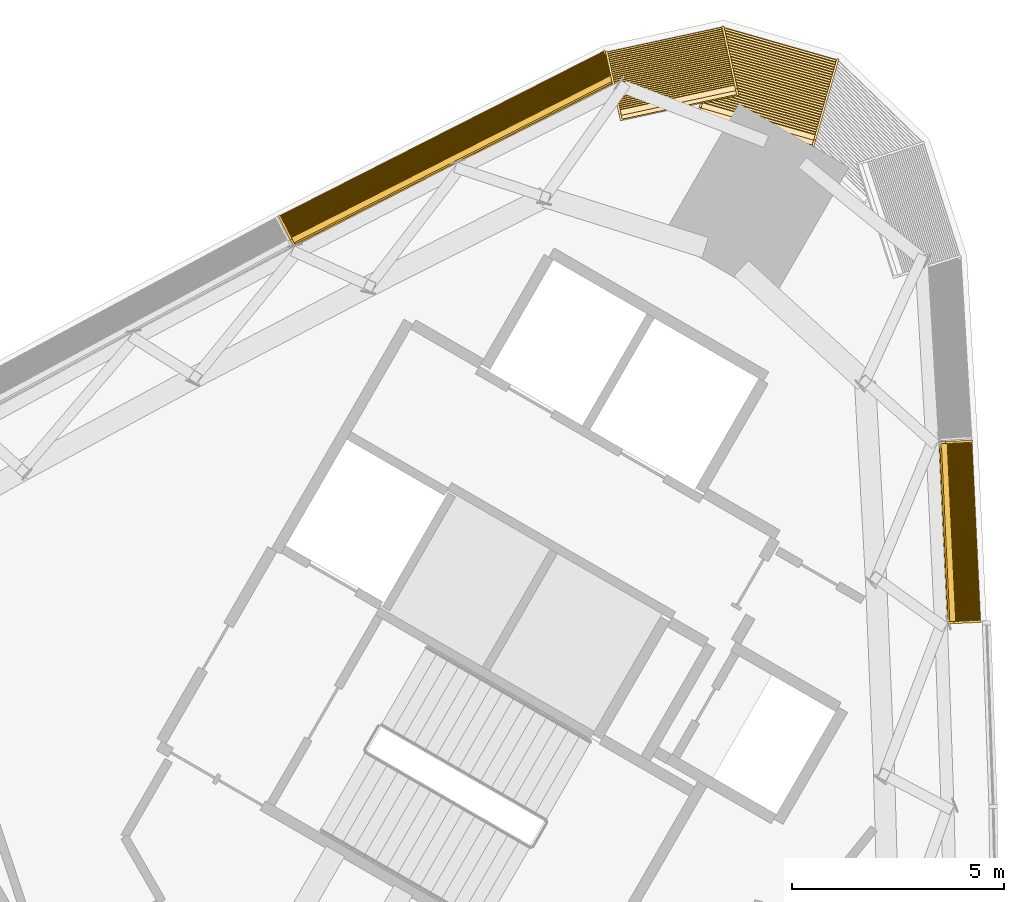
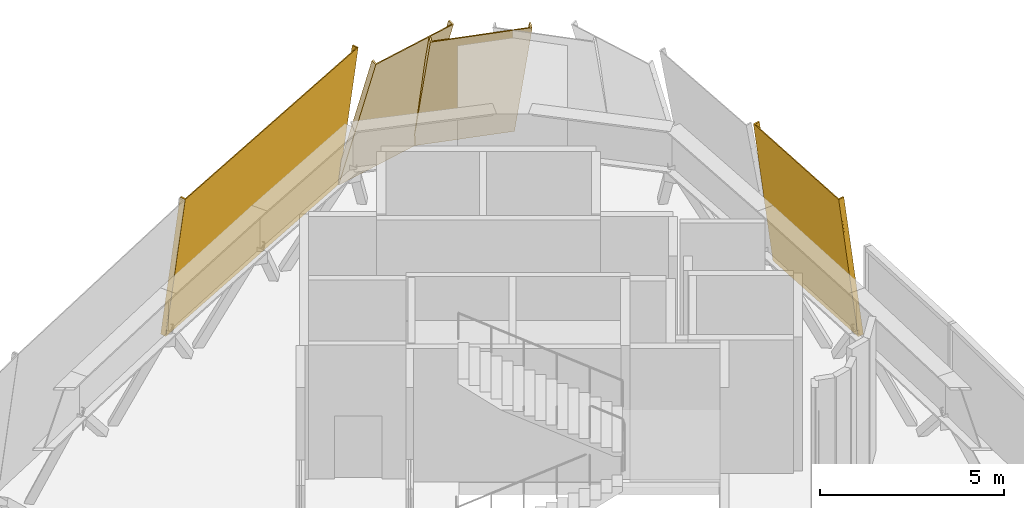
# One storey, part 17 of 18: 4 coverings.
"""IFC4 building model written with IfcOpenShell, lengths in metres."""

from ifc_helpers import new_model, si_unit, direction, frame, frame_2d, origin, place, context, subcontext, project, spatial, rectangle, extrude, source, transform, mapped, material, type_object, element, save


model = new_model("IFC4")

# Units and contexts
model_context = context("Model", 3, precision=1e-05, world=origin(), true_north=direction((0.0, 1.0)))
body_context = subcontext(model_context, "Body", "Model", "MODEL_VIEW")
ifc_project = project(units=[si_unit("LENGTHUNIT", "METRE"), si_unit("AREAUNIT", "SQUARE_METRE"), si_unit("VOLUMEUNIT", "CUBIC_METRE"), si_unit("PLANEANGLEUNIT", "RADIAN"), si_unit("MASSUNIT", "GRAM", prefix="KILO")], contexts=[model_context])

# Site, building, storey
site_placement = place(None, origin())
site = spatial("IfcSite", under=ifc_project, at=site_placement, CompositionType="ELEMENT")
building_placement = place(site_placement, origin())
building = spatial("IfcBuilding", under=site, at=building_placement, Name="Tamra Quay Hotel Tower", CompositionType="ELEMENT")
storey_placement = place(building_placement, frame((0.0, 0.0, 164.800048828125)))
storey = spatial("IfcBuildingStorey", under=building, at=storey_placement, Name="L41", CompositionType="ELEMENT", Elevation=164.800048828125)

# Coverings
ifc_material = material(Name="Terracotta louvre panel", Category="masonry")
covering_type_1 = type_object("IfcCoveringType", Name="PLANT LOUVRE H4841", PredefinedType="USERDEFINED", material=ifc_material)
shared_shape_1 = source(origin(), body_context, "Body", "SweptSolid", [
    extrude(rectangle(XDim=8.639892578125, YDim=0.030029296875, at=frame_2d((4.31982421875, 0.01513671875))), frame((-4.320068359375, -0.030029296875, 0.0)), (0.0, 0.0, 1.0), 4.841064453125),
    extrude(rectangle(XDim=0.050048828125, YDim=0.139892578125, at=frame_2d((0.02490234375, 0.06982421875))), frame((-4.320068359375, -0.169921875, 0.0)), (0.0, 0.0, 1.0), 4.841064453125),
    extrude(rectangle(XDim=0.050048828125, YDim=0.139892578125, at=frame_2d((0.02490234375, 0.06982421875))), frame((4.27001953125, -0.169921875, 0.0)), (0.0, 0.0, 1.0), 4.841064453125),
    extrude(rectangle(XDim=8.5400390625, YDim=0.139892578125, at=frame_2d((4.27001953125, 0.06982421875))), frame((-4.27001953125, -0.169921875, 0.050048828125)), (0.0, 0.0, 1.0), 0.034912109375),
    extrude(rectangle(XDim=8.5400390625, YDim=0.139892578125, at=frame_2d((4.27001953125, 0.06982421875))), frame((-4.27001953125, -0.169921875, 0.2099609375)), (0.0, 0.0, 1.0), 0.034912109375),
    extrude(rectangle(XDim=8.5400390625, YDim=0.139892578125, at=frame_2d((4.27001953125, 0.06982421875))), frame((-4.27001953125, -0.169921875, 0.3701171875)), (0.0, 0.0, 1.0), 0.034912109375),
    extrude(rectangle(XDim=8.5400390625, YDim=0.139892578125, at=frame_2d((4.27001953125, 0.06982421875))), frame((-4.27001953125, -0.169921875, 0.530029296875)), (0.0, 0.0, 1.0), 0.034912109375),
    extrude(rectangle(XDim=8.5400390625, YDim=0.139892578125, at=frame_2d((4.27001953125, 0.06982421875))), frame((-4.27001953125, -0.169921875, 0.68994140625)), (0.0, 0.0, 1.0), 0.034912109375),
    extrude(rectangle(XDim=8.5400390625, YDim=0.139892578125, at=frame_2d((4.27001953125, 0.06982421875))), frame((-4.27001953125, -0.169921875, 0.85009765625)), (0.0, 0.0, 1.0), 0.034912109375),
    extrude(rectangle(XDim=8.5400390625, YDim=0.139892578125, at=frame_2d((4.27001953125, 0.06982421875))), frame((-4.27001953125, -0.169921875, 1.010009765625)), (0.0, 0.0, 1.0), 0.034912109375),
    extrude(rectangle(XDim=8.5400390625, YDim=0.139892578125, at=frame_2d((4.27001953125, 0.06982421875))), frame((-4.27001953125, -0.169921875, 1.169921875)), (0.0, 0.0, 1.0), 0.034912109375),
    extrude(rectangle(XDim=8.5400390625, YDim=0.139892578125, at=frame_2d((4.27001953125, 0.06982421875))), frame((-4.27001953125, -0.169921875, 1.330078125)), (0.0, 0.0, 1.0), 0.034912109375),
    extrude(rectangle(XDim=8.5400390625, YDim=0.139892578125, at=frame_2d((4.27001953125, 0.06982421875))), frame((-4.27001953125, -0.169921875, 1.489990234375)), (0.0, 0.0, 1.0), 0.034912109375),
    extrude(rectangle(XDim=8.5400390625, YDim=0.139892578125, at=frame_2d((4.27001953125, 0.06982421875))), frame((-4.27001953125, -0.169921875, 1.64990234375)), (0.0, 0.0, 1.0), 0.034912109375),
    extrude(rectangle(XDim=8.5400390625, YDim=0.139892578125, at=frame_2d((4.27001953125, 0.06982421875))), frame((-4.27001953125, -0.169921875, 1.81005859375)), (0.0, 0.0, 1.0), 0.034912109375),
    extrude(rectangle(XDim=8.5400390625, YDim=0.139892578125, at=frame_2d((4.27001953125, 0.06982421875))), frame((-4.27001953125, -0.169921875, 1.969970703125)), (0.0, 0.0, 1.0), 0.034912109375),
    extrude(rectangle(XDim=8.5400390625, YDim=0.139892578125, at=frame_2d((4.27001953125, 0.06982421875))), frame((-4.27001953125, -0.169921875, 2.1298828125)), (0.0, 0.0, 1.0), 0.034912109375),
    extrude(rectangle(XDim=8.5400390625, YDim=0.139892578125, at=frame_2d((4.27001953125, 0.06982421875))), frame((-4.27001953125, -0.169921875, 2.2900390625)), (0.0, 0.0, 1.0), 0.034912109375),
    extrude(rectangle(XDim=8.5400390625, YDim=0.139892578125, at=frame_2d((4.27001953125, 0.06982421875))), frame((-4.27001953125, -0.169921875, 2.449951171875)), (0.0, 0.0, 1.0), 0.034912109375),
    extrude(rectangle(XDim=8.5400390625, YDim=0.139892578125, at=frame_2d((4.27001953125, 0.06982421875))), frame((-4.27001953125, -0.169921875, 2.610107421875)), (0.0, 0.0, 1.0), 0.034912109375),
    extrude(rectangle(XDim=8.5400390625, YDim=0.139892578125, at=frame_2d((4.27001953125, 0.06982421875))), frame((-4.27001953125, -0.169921875, 2.77001953125)), (0.0, 0.0, 1.0), 0.034912109375),
    extrude(rectangle(XDim=8.5400390625, YDim=0.139892578125, at=frame_2d((4.27001953125, 0.06982421875))), frame((-4.27001953125, -0.169921875, 2.929931640625)), (0.0, 0.0, 1.0), 0.034912109375),
    extrude(rectangle(XDim=8.5400390625, YDim=0.139892578125, at=frame_2d((4.27001953125, 0.06982421875))), frame((-4.27001953125, -0.169921875, 3.090087890625)), (0.0, 0.0, 1.0), 0.034912109375),
    extrude(rectangle(XDim=8.5400390625, YDim=0.139892578125, at=frame_2d((4.27001953125, 0.06982421875))), frame((-4.27001953125, -0.169921875, 3.25)), (0.0, 0.0, 1.0), 0.034912109375),
    extrude(rectangle(XDim=8.5400390625, YDim=0.139892578125, at=frame_2d((4.27001953125, 0.06982421875))), frame((-4.27001953125, -0.169921875, 3.409912109375)), (0.0, 0.0, 1.0), 0.034912109375),
    extrude(rectangle(XDim=8.5400390625, YDim=0.139892578125, at=frame_2d((4.27001953125, 0.06982421875))), frame((-4.27001953125, -0.169921875, 3.570068359375)), (0.0, 0.0, 1.0), 0.034912109375),
    extrude(rectangle(XDim=8.5400390625, YDim=0.139892578125, at=frame_2d((4.27001953125, 0.06982421875))), frame((-4.27001953125, -0.169921875, 3.72998046875)), (0.0, 0.0, 1.0), 0.034912109375),
    extrude(rectangle(XDim=8.5400390625, YDim=0.139892578125, at=frame_2d((4.27001953125, 0.06982421875))), frame((-4.27001953125, -0.169921875, 3.889892578125)), (0.0, 0.0, 1.0), 0.034912109375),
    extrude(rectangle(XDim=8.5400390625, YDim=0.139892578125, at=frame_2d((4.27001953125, 0.06982421875))), frame((-4.27001953125, -0.169921875, 4.050048828125)), (0.0, 0.0, 1.0), 0.034912109375),
    extrude(rectangle(XDim=8.5400390625, YDim=0.139892578125, at=frame_2d((4.27001953125, 0.06982421875))), frame((-4.27001953125, -0.169921875, 4.2099609375)), (0.0, 0.0, 1.0), 0.034912109375),
    extrude(rectangle(XDim=8.5400390625, YDim=0.139892578125, at=frame_2d((4.27001953125, 0.06982421875))), frame((-4.27001953125, -0.169921875, 4.3701171875)), (0.0, 0.0, 1.0), 0.034912109375),
    extrude(rectangle(XDim=8.5400390625, YDim=0.139892578125, at=frame_2d((4.27001953125, 0.06982421875))), frame((-4.27001953125, -0.169921875, 4.530029296875)), (0.0, 0.0, 1.0), 0.034912109375),
])
covering_1_placement = place(storey_placement, frame((7.158447265625, 26.569091796875, 0.0), z_axis=(0.059099250057, -0.116380262494, 0.991444861374), x_axis=(-0.891623822886, -0.452776941179, 0.0)))
element("IfcCovering", 1, at=covering_1_placement, inside=storey, type_object=covering_type_1, Name="Plant louvre L41.NW.f00", ObjectType="LOUVER", PredefinedType="USERDEFINED", context=body_context, shape_type="MappedRepresentation", body=[
    mapped(shared_shape_1, transform((0.0, 0.0, 0.0), scale=1.0)),
])
shared_shape_2 = source(origin(), body_context, "Body", "SweptSolid", [
    extrude(rectangle(XDim=4.300048828125, YDim=0.030029296875, at=frame_2d((2.14990234375, 0.01513671875))), frame((-2.14990234375, -0.030029296875, 0.0)), (0.0, 0.0, 1.0), 4.841064453125),
    extrude(rectangle(XDim=0.050048828125, YDim=0.139892578125, at=frame_2d((0.02490234375, 0.06982421875))), frame((-2.14990234375, -0.169921875, 0.0)), (0.0, 0.0, 1.0), 4.841064453125),
    extrude(rectangle(XDim=0.050048828125, YDim=0.139892578125, at=frame_2d((0.02490234375, 0.06982421875))), frame((2.10009765625, -0.169921875, 0.0)), (0.0, 0.0, 1.0), 4.841064453125),
    extrude(rectangle(XDim=4.199951171875, YDim=0.139892578125, at=frame_2d((2.10009765625, 0.06982421875))), frame((-2.10009765625, -0.169921875, 0.050048828125)), (0.0, 0.0, 1.0), 0.034912109375),
    extrude(rectangle(XDim=4.199951171875, YDim=0.139892578125, at=frame_2d((2.10009765625, 0.06982421875))), frame((-2.10009765625, -0.169921875, 0.2099609375)), (0.0, 0.0, 1.0), 0.034912109375),
    extrude(rectangle(XDim=4.199951171875, YDim=0.139892578125, at=frame_2d((2.10009765625, 0.06982421875))), frame((-2.10009765625, -0.169921875, 0.3701171875)), (0.0, 0.0, 1.0), 0.034912109375),
    extrude(rectangle(XDim=4.199951171875, YDim=0.139892578125, at=frame_2d((2.10009765625, 0.06982421875))), frame((-2.10009765625, -0.169921875, 0.530029296875)), (0.0, 0.0, 1.0), 0.034912109375),
    extrude(rectangle(XDim=4.199951171875, YDim=0.139892578125, at=frame_2d((2.10009765625, 0.06982421875))), frame((-2.10009765625, -0.169921875, 0.68994140625)), (0.0, 0.0, 1.0), 0.034912109375),
    extrude(rectangle(XDim=4.199951171875, YDim=0.139892578125, at=frame_2d((2.10009765625, 0.06982421875))), frame((-2.10009765625, -0.169921875, 0.85009765625)), (0.0, 0.0, 1.0), 0.034912109375),
    extrude(rectangle(XDim=4.199951171875, YDim=0.139892578125, at=frame_2d((2.10009765625, 0.06982421875))), frame((-2.10009765625, -0.169921875, 1.010009765625)), (0.0, 0.0, 1.0), 0.034912109375),
    extrude(rectangle(XDim=4.199951171875, YDim=0.139892578125, at=frame_2d((2.10009765625, 0.06982421875))), frame((-2.10009765625, -0.169921875, 1.169921875)), (0.0, 0.0, 1.0), 0.034912109375),
    extrude(rectangle(XDim=4.199951171875, YDim=0.139892578125, at=frame_2d((2.10009765625, 0.06982421875))), frame((-2.10009765625, -0.169921875, 1.330078125)), (0.0, 0.0, 1.0), 0.034912109375),
    extrude(rectangle(XDim=4.199951171875, YDim=0.139892578125, at=frame_2d((2.10009765625, 0.06982421875))), frame((-2.10009765625, -0.169921875, 1.489990234375)), (0.0, 0.0, 1.0), 0.034912109375),
    extrude(rectangle(XDim=4.199951171875, YDim=0.139892578125, at=frame_2d((2.10009765625, 0.06982421875))), frame((-2.10009765625, -0.169921875, 1.64990234375)), (0.0, 0.0, 1.0), 0.034912109375),
    extrude(rectangle(XDim=4.199951171875, YDim=0.139892578125, at=frame_2d((2.10009765625, 0.06982421875))), frame((-2.10009765625, -0.169921875, 1.81005859375)), (0.0, 0.0, 1.0), 0.034912109375),
    extrude(rectangle(XDim=4.199951171875, YDim=0.139892578125, at=frame_2d((2.10009765625, 0.06982421875))), frame((-2.10009765625, -0.169921875, 1.969970703125)), (0.0, 0.0, 1.0), 0.034912109375),
    extrude(rectangle(XDim=4.199951171875, YDim=0.139892578125, at=frame_2d((2.10009765625, 0.06982421875))), frame((-2.10009765625, -0.169921875, 2.1298828125)), (0.0, 0.0, 1.0), 0.034912109375),
    extrude(rectangle(XDim=4.199951171875, YDim=0.139892578125, at=frame_2d((2.10009765625, 0.06982421875))), frame((-2.10009765625, -0.169921875, 2.2900390625)), (0.0, 0.0, 1.0), 0.034912109375),
    extrude(rectangle(XDim=4.199951171875, YDim=0.139892578125, at=frame_2d((2.10009765625, 0.06982421875))), frame((-2.10009765625, -0.169921875, 2.449951171875)), (0.0, 0.0, 1.0), 0.034912109375),
    extrude(rectangle(XDim=4.199951171875, YDim=0.139892578125, at=frame_2d((2.10009765625, 0.06982421875))), frame((-2.10009765625, -0.169921875, 2.610107421875)), (0.0, 0.0, 1.0), 0.034912109375),
    extrude(rectangle(XDim=4.199951171875, YDim=0.139892578125, at=frame_2d((2.10009765625, 0.06982421875))), frame((-2.10009765625, -0.169921875, 2.77001953125)), (0.0, 0.0, 1.0), 0.034912109375),
    extrude(rectangle(XDim=4.199951171875, YDim=0.139892578125, at=frame_2d((2.10009765625, 0.06982421875))), frame((-2.10009765625, -0.169921875, 2.929931640625)), (0.0, 0.0, 1.0), 0.034912109375),
    extrude(rectangle(XDim=4.199951171875, YDim=0.139892578125, at=frame_2d((2.10009765625, 0.06982421875))), frame((-2.10009765625, -0.169921875, 3.090087890625)), (0.0, 0.0, 1.0), 0.034912109375),
    extrude(rectangle(XDim=4.199951171875, YDim=0.139892578125, at=frame_2d((2.10009765625, 0.06982421875))), frame((-2.10009765625, -0.169921875, 3.25)), (0.0, 0.0, 1.0), 0.034912109375),
    extrude(rectangle(XDim=4.199951171875, YDim=0.139892578125, at=frame_2d((2.10009765625, 0.06982421875))), frame((-2.10009765625, -0.169921875, 3.409912109375)), (0.0, 0.0, 1.0), 0.034912109375),
    extrude(rectangle(XDim=4.199951171875, YDim=0.139892578125, at=frame_2d((2.10009765625, 0.06982421875))), frame((-2.10009765625, -0.169921875, 3.570068359375)), (0.0, 0.0, 1.0), 0.034912109375),
    extrude(rectangle(XDim=4.199951171875, YDim=0.139892578125, at=frame_2d((2.10009765625, 0.06982421875))), frame((-2.10009765625, -0.169921875, 3.72998046875)), (0.0, 0.0, 1.0), 0.034912109375),
    extrude(rectangle(XDim=4.199951171875, YDim=0.139892578125, at=frame_2d((2.10009765625, 0.06982421875))), frame((-2.10009765625, -0.169921875, 3.889892578125)), (0.0, 0.0, 1.0), 0.034912109375),
    extrude(rectangle(XDim=4.199951171875, YDim=0.139892578125, at=frame_2d((2.10009765625, 0.06982421875))), frame((-2.10009765625, -0.169921875, 4.050048828125)), (0.0, 0.0, 1.0), 0.034912109375),
    extrude(rectangle(XDim=4.199951171875, YDim=0.139892578125, at=frame_2d((2.10009765625, 0.06982421875))), frame((-2.10009765625, -0.169921875, 4.2099609375)), (0.0, 0.0, 1.0), 0.034912109375),
    extrude(rectangle(XDim=4.199951171875, YDim=0.139892578125, at=frame_2d((2.10009765625, 0.06982421875))), frame((-2.10009765625, -0.169921875, 4.3701171875)), (0.0, 0.0, 1.0), 0.034912109375),
    extrude(rectangle(XDim=4.199951171875, YDim=0.139892578125, at=frame_2d((2.10009765625, 0.06982421875))), frame((-2.10009765625, -0.169921875, 4.530029296875)), (0.0, 0.0, 1.0), 0.034912109375),
])
covering_2_placement = place(storey_placement, frame((19.53369140625, 17.320556640625, 0.0), z_axis=(-0.130377322892, -0.00623221718, 0.991444861374), x_axis=(-0.04774687037, 0.998859467778, 0.0)))
element("IfcCovering", 2, at=covering_2_placement, inside=storey, type_object=covering_type_1, Name="Plant louvre L41.E.f09s", ObjectType="LOUVER", PredefinedType="USERDEFINED", context=body_context, shape_type="MappedRepresentation", body=[
    mapped(shared_shape_2, transform((0.0, 0.0, 0.0), scale=1.0)),
])
covering_type_2 = type_object("IfcCoveringType", Name="PLANT LOUVRE H5033", PredefinedType="USERDEFINED", material=ifc_material)
shared_shape_3 = source(origin(), body_context, "Body", "SweptSolid", [
    extrude(rectangle(XDim=2.860107421875, YDim=0.030029296875, at=frame_2d((1.43017578125, 0.01513671875))), frame((-1.429931640625, -0.030029296875, 0.0)), (0.0, 0.0, 1.0), 5.032958984375),
    extrude(rectangle(XDim=0.050048828125, YDim=0.139892578125, at=frame_2d((0.02490234375, 0.06982421875))), frame((-1.429931640625, -0.169921875, 0.0)), (0.0, 0.0, 1.0), 5.032958984375),
    extrude(rectangle(XDim=0.050048828125, YDim=0.139892578125, at=frame_2d((0.02490234375, 0.06982421875))), frame((1.3798828125, -0.169921875, 0.0)), (0.0, 0.0, 1.0), 5.032958984375),
    extrude(rectangle(XDim=2.760009765625, YDim=0.139892578125, at=frame_2d((1.3798828125, 0.06982421875))), frame((-1.3798828125, -0.169921875, 0.050048828125)), (0.0, 0.0, 1.0), 0.034912109375),
    extrude(rectangle(XDim=2.760009765625, YDim=0.139892578125, at=frame_2d((1.3798828125, 0.06982421875))), frame((-1.3798828125, -0.169921875, 0.2099609375)), (0.0, 0.0, 1.0), 0.034912109375),
    extrude(rectangle(XDim=2.760009765625, YDim=0.139892578125, at=frame_2d((1.3798828125, 0.06982421875))), frame((-1.3798828125, -0.169921875, 0.3701171875)), (0.0, 0.0, 1.0), 0.034912109375),
    extrude(rectangle(XDim=2.760009765625, YDim=0.139892578125, at=frame_2d((1.3798828125, 0.06982421875))), frame((-1.3798828125, -0.169921875, 0.530029296875)), (0.0, 0.0, 1.0), 0.034912109375),
    extrude(rectangle(XDim=2.760009765625, YDim=0.139892578125, at=frame_2d((1.3798828125, 0.06982421875))), frame((-1.3798828125, -0.169921875, 0.68994140625)), (0.0, 0.0, 1.0), 0.034912109375),
    extrude(rectangle(XDim=2.760009765625, YDim=0.139892578125, at=frame_2d((1.3798828125, 0.06982421875))), frame((-1.3798828125, -0.169921875, 0.85009765625)), (0.0, 0.0, 1.0), 0.034912109375),
    extrude(rectangle(XDim=2.760009765625, YDim=0.139892578125, at=frame_2d((1.3798828125, 0.06982421875))), frame((-1.3798828125, -0.169921875, 1.010009765625)), (0.0, 0.0, 1.0), 0.034912109375),
    extrude(rectangle(XDim=2.760009765625, YDim=0.139892578125, at=frame_2d((1.3798828125, 0.06982421875))), frame((-1.3798828125, -0.169921875, 1.169921875)), (0.0, 0.0, 1.0), 0.034912109375),
    extrude(rectangle(XDim=2.760009765625, YDim=0.139892578125, at=frame_2d((1.3798828125, 0.06982421875))), frame((-1.3798828125, -0.169921875, 1.330078125)), (0.0, 0.0, 1.0), 0.034912109375),
    extrude(rectangle(XDim=2.760009765625, YDim=0.139892578125, at=frame_2d((1.3798828125, 0.06982421875))), frame((-1.3798828125, -0.169921875, 1.489990234375)), (0.0, 0.0, 1.0), 0.034912109375),
    extrude(rectangle(XDim=2.760009765625, YDim=0.139892578125, at=frame_2d((1.3798828125, 0.06982421875))), frame((-1.3798828125, -0.169921875, 1.64990234375)), (0.0, 0.0, 1.0), 0.034912109375),
    extrude(rectangle(XDim=2.760009765625, YDim=0.139892578125, at=frame_2d((1.3798828125, 0.06982421875))), frame((-1.3798828125, -0.169921875, 1.81005859375)), (0.0, 0.0, 1.0), 0.034912109375),
    extrude(rectangle(XDim=2.760009765625, YDim=0.139892578125, at=frame_2d((1.3798828125, 0.06982421875))), frame((-1.3798828125, -0.169921875, 1.969970703125)), (0.0, 0.0, 1.0), 0.034912109375),
    extrude(rectangle(XDim=2.760009765625, YDim=0.139892578125, at=frame_2d((1.3798828125, 0.06982421875))), frame((-1.3798828125, -0.169921875, 2.1298828125)), (0.0, 0.0, 1.0), 0.034912109375),
    extrude(rectangle(XDim=2.760009765625, YDim=0.139892578125, at=frame_2d((1.3798828125, 0.06982421875))), frame((-1.3798828125, -0.169921875, 2.2900390625)), (0.0, 0.0, 1.0), 0.034912109375),
    extrude(rectangle(XDim=2.760009765625, YDim=0.139892578125, at=frame_2d((1.3798828125, 0.06982421875))), frame((-1.3798828125, -0.169921875, 2.449951171875)), (0.0, 0.0, 1.0), 0.034912109375),
    extrude(rectangle(XDim=2.760009765625, YDim=0.139892578125, at=frame_2d((1.3798828125, 0.06982421875))), frame((-1.3798828125, -0.169921875, 2.610107421875)), (0.0, 0.0, 1.0), 0.034912109375),
    extrude(rectangle(XDim=2.760009765625, YDim=0.139892578125, at=frame_2d((1.3798828125, 0.06982421875))), frame((-1.3798828125, -0.169921875, 2.77001953125)), (0.0, 0.0, 1.0), 0.034912109375),
    extrude(rectangle(XDim=2.760009765625, YDim=0.139892578125, at=frame_2d((1.3798828125, 0.06982421875))), frame((-1.3798828125, -0.169921875, 2.929931640625)), (0.0, 0.0, 1.0), 0.034912109375),
    extrude(rectangle(XDim=2.760009765625, YDim=0.139892578125, at=frame_2d((1.3798828125, 0.06982421875))), frame((-1.3798828125, -0.169921875, 3.090087890625)), (0.0, 0.0, 1.0), 0.034912109375),
    extrude(rectangle(XDim=2.760009765625, YDim=0.139892578125, at=frame_2d((1.3798828125, 0.06982421875))), frame((-1.3798828125, -0.169921875, 3.25)), (0.0, 0.0, 1.0), 0.034912109375),
    extrude(rectangle(XDim=2.760009765625, YDim=0.139892578125, at=frame_2d((1.3798828125, 0.06982421875))), frame((-1.3798828125, -0.169921875, 3.409912109375)), (0.0, 0.0, 1.0), 0.034912109375),
    extrude(rectangle(XDim=2.760009765625, YDim=0.139892578125, at=frame_2d((1.3798828125, 0.06982421875))), frame((-1.3798828125, -0.169921875, 3.570068359375)), (0.0, 0.0, 1.0), 0.034912109375),
    extrude(rectangle(XDim=2.760009765625, YDim=0.139892578125, at=frame_2d((1.3798828125, 0.06982421875))), frame((-1.3798828125, -0.169921875, 3.72998046875)), (0.0, 0.0, 1.0), 0.034912109375),
    extrude(rectangle(XDim=2.760009765625, YDim=0.139892578125, at=frame_2d((1.3798828125, 0.06982421875))), frame((-1.3798828125, -0.169921875, 3.889892578125)), (0.0, 0.0, 1.0), 0.034912109375),
    extrude(rectangle(XDim=2.760009765625, YDim=0.139892578125, at=frame_2d((1.3798828125, 0.06982421875))), frame((-1.3798828125, -0.169921875, 4.050048828125)), (0.0, 0.0, 1.0), 0.034912109375),
    extrude(rectangle(XDim=2.760009765625, YDim=0.139892578125, at=frame_2d((1.3798828125, 0.06982421875))), frame((-1.3798828125, -0.169921875, 4.2099609375)), (0.0, 0.0, 1.0), 0.034912109375),
    extrude(rectangle(XDim=2.760009765625, YDim=0.139892578125, at=frame_2d((1.3798828125, 0.06982421875))), frame((-1.3798828125, -0.169921875, 4.3701171875)), (0.0, 0.0, 1.0), 0.034912109375),
    extrude(rectangle(XDim=2.760009765625, YDim=0.139892578125, at=frame_2d((1.3798828125, 0.06982421875))), frame((-1.3798828125, -0.169921875, 4.530029296875)), (0.0, 0.0, 1.0), 0.034912109375),
    extrude(rectangle(XDim=2.760009765625, YDim=0.139892578125, at=frame_2d((1.3798828125, 0.06982421875))), frame((-1.3798828125, -0.169921875, 4.68994140625)), (0.0, 0.0, 1.0), 0.034912109375),
])
covering_3_placement = place(storey_placement, frame((12.376708984375, 28.78857421875, 0.0), z_axis=(0.063478838166, -0.293929268636, 0.953716950748), x_axis=(-0.97746458206, -0.211099480856, 0.0)))
element("IfcCovering", 3, at=covering_3_placement, inside=storey, type_object=covering_type_2, Name="Plant louvre L41.E.c03", ObjectType="LOUVER", PredefinedType="USERDEFINED", context=body_context, shape_type="MappedRepresentation", body=[
    mapped(shared_shape_3, transform((0.0, 0.0, 0.0), scale=1.0)),
])
covering_type_3 = type_object("IfcCoveringType", Name="PLANT LOUVRE H5195", PredefinedType="USERDEFINED", material=ifc_material)
shared_shape_4 = source(origin(), body_context, "Body", "SweptSolid", [
    extrude(rectangle(XDim=2.860107421875, YDim=0.030029296875, at=frame_2d((1.43017578125, 0.01513671875))), frame((-1.429931640625, -0.030029296875, 0.0)), (0.0, 0.0, 1.0), 5.195068359375),
    extrude(rectangle(XDim=0.050048828125, YDim=0.139892578125, at=frame_2d((0.02490234375, 0.06982421875))), frame((-1.429931640625, -0.169921875, 0.0)), (0.0, 0.0, 1.0), 5.195068359375),
    extrude(rectangle(XDim=0.050048828125, YDim=0.139892578125, at=frame_2d((0.02490234375, 0.06982421875))), frame((1.3798828125, -0.169921875, 0.0)), (0.0, 0.0, 1.0), 5.195068359375),
    extrude(rectangle(XDim=2.760009765625, YDim=0.139892578125, at=frame_2d((1.3798828125, 0.06982421875))), frame((-1.3798828125, -0.169921875, 0.050048828125)), (0.0, 0.0, 1.0), 0.034912109375),
    extrude(rectangle(XDim=2.760009765625, YDim=0.139892578125, at=frame_2d((1.3798828125, 0.06982421875))), frame((-1.3798828125, -0.169921875, 0.2099609375)), (0.0, 0.0, 1.0), 0.034912109375),
    extrude(rectangle(XDim=2.760009765625, YDim=0.139892578125, at=frame_2d((1.3798828125, 0.06982421875))), frame((-1.3798828125, -0.169921875, 0.3701171875)), (0.0, 0.0, 1.0), 0.034912109375),
    extrude(rectangle(XDim=2.760009765625, YDim=0.139892578125, at=frame_2d((1.3798828125, 0.06982421875))), frame((-1.3798828125, -0.169921875, 0.530029296875)), (0.0, 0.0, 1.0), 0.034912109375),
    extrude(rectangle(XDim=2.760009765625, YDim=0.139892578125, at=frame_2d((1.3798828125, 0.06982421875))), frame((-1.3798828125, -0.169921875, 0.68994140625)), (0.0, 0.0, 1.0), 0.034912109375),
    extrude(rectangle(XDim=2.760009765625, YDim=0.139892578125, at=frame_2d((1.3798828125, 0.06982421875))), frame((-1.3798828125, -0.169921875, 0.85009765625)), (0.0, 0.0, 1.0), 0.034912109375),
    extrude(rectangle(XDim=2.760009765625, YDim=0.139892578125, at=frame_2d((1.3798828125, 0.06982421875))), frame((-1.3798828125, -0.169921875, 1.010009765625)), (0.0, 0.0, 1.0), 0.034912109375),
    extrude(rectangle(XDim=2.760009765625, YDim=0.139892578125, at=frame_2d((1.3798828125, 0.06982421875))), frame((-1.3798828125, -0.169921875, 1.169921875)), (0.0, 0.0, 1.0), 0.034912109375),
    extrude(rectangle(XDim=2.760009765625, YDim=0.139892578125, at=frame_2d((1.3798828125, 0.06982421875))), frame((-1.3798828125, -0.169921875, 1.330078125)), (0.0, 0.0, 1.0), 0.034912109375),
    extrude(rectangle(XDim=2.760009765625, YDim=0.139892578125, at=frame_2d((1.3798828125, 0.06982421875))), frame((-1.3798828125, -0.169921875, 1.489990234375)), (0.0, 0.0, 1.0), 0.034912109375),
    extrude(rectangle(XDim=2.760009765625, YDim=0.139892578125, at=frame_2d((1.3798828125, 0.06982421875))), frame((-1.3798828125, -0.169921875, 1.64990234375)), (0.0, 0.0, 1.0), 0.034912109375),
    extrude(rectangle(XDim=2.760009765625, YDim=0.139892578125, at=frame_2d((1.3798828125, 0.06982421875))), frame((-1.3798828125, -0.169921875, 1.81005859375)), (0.0, 0.0, 1.0), 0.034912109375),
    extrude(rectangle(XDim=2.760009765625, YDim=0.139892578125, at=frame_2d((1.3798828125, 0.06982421875))), frame((-1.3798828125, -0.169921875, 1.969970703125)), (0.0, 0.0, 1.0), 0.034912109375),
    extrude(rectangle(XDim=2.760009765625, YDim=0.139892578125, at=frame_2d((1.3798828125, 0.06982421875))), frame((-1.3798828125, -0.169921875, 2.1298828125)), (0.0, 0.0, 1.0), 0.034912109375),
    extrude(rectangle(XDim=2.760009765625, YDim=0.139892578125, at=frame_2d((1.3798828125, 0.06982421875))), frame((-1.3798828125, -0.169921875, 2.2900390625)), (0.0, 0.0, 1.0), 0.034912109375),
    extrude(rectangle(XDim=2.760009765625, YDim=0.139892578125, at=frame_2d((1.3798828125, 0.06982421875))), frame((-1.3798828125, -0.169921875, 2.449951171875)), (0.0, 0.0, 1.0), 0.034912109375),
    extrude(rectangle(XDim=2.760009765625, YDim=0.139892578125, at=frame_2d((1.3798828125, 0.06982421875))), frame((-1.3798828125, -0.169921875, 2.610107421875)), (0.0, 0.0, 1.0), 0.034912109375),
    extrude(rectangle(XDim=2.760009765625, YDim=0.139892578125, at=frame_2d((1.3798828125, 0.06982421875))), frame((-1.3798828125, -0.169921875, 2.77001953125)), (0.0, 0.0, 1.0), 0.034912109375),
    extrude(rectangle(XDim=2.760009765625, YDim=0.139892578125, at=frame_2d((1.3798828125, 0.06982421875))), frame((-1.3798828125, -0.169921875, 2.929931640625)), (0.0, 0.0, 1.0), 0.034912109375),
    extrude(rectangle(XDim=2.760009765625, YDim=0.139892578125, at=frame_2d((1.3798828125, 0.06982421875))), frame((-1.3798828125, -0.169921875, 3.090087890625)), (0.0, 0.0, 1.0), 0.034912109375),
    extrude(rectangle(XDim=2.760009765625, YDim=0.139892578125, at=frame_2d((1.3798828125, 0.06982421875))), frame((-1.3798828125, -0.169921875, 3.25)), (0.0, 0.0, 1.0), 0.034912109375),
    extrude(rectangle(XDim=2.760009765625, YDim=0.139892578125, at=frame_2d((1.3798828125, 0.06982421875))), frame((-1.3798828125, -0.169921875, 3.409912109375)), (0.0, 0.0, 1.0), 0.034912109375),
    extrude(rectangle(XDim=2.760009765625, YDim=0.139892578125, at=frame_2d((1.3798828125, 0.06982421875))), frame((-1.3798828125, -0.169921875, 3.570068359375)), (0.0, 0.0, 1.0), 0.034912109375),
    extrude(rectangle(XDim=2.760009765625, YDim=0.139892578125, at=frame_2d((1.3798828125, 0.06982421875))), frame((-1.3798828125, -0.169921875, 3.72998046875)), (0.0, 0.0, 1.0), 0.034912109375),
    extrude(rectangle(XDim=2.760009765625, YDim=0.139892578125, at=frame_2d((1.3798828125, 0.06982421875))), frame((-1.3798828125, -0.169921875, 3.889892578125)), (0.0, 0.0, 1.0), 0.034912109375),
    extrude(rectangle(XDim=2.760009765625, YDim=0.139892578125, at=frame_2d((1.3798828125, 0.06982421875))), frame((-1.3798828125, -0.169921875, 4.050048828125)), (0.0, 0.0, 1.0), 0.034912109375),
    extrude(rectangle(XDim=2.760009765625, YDim=0.139892578125, at=frame_2d((1.3798828125, 0.06982421875))), frame((-1.3798828125, -0.169921875, 4.2099609375)), (0.0, 0.0, 1.0), 0.034912109375),
    extrude(rectangle(XDim=2.760009765625, YDim=0.139892578125, at=frame_2d((1.3798828125, 0.06982421875))), frame((-1.3798828125, -0.169921875, 4.3701171875)), (0.0, 0.0, 1.0), 0.034912109375),
    extrude(rectangle(XDim=2.760009765625, YDim=0.139892578125, at=frame_2d((1.3798828125, 0.06982421875))), frame((-1.3798828125, -0.169921875, 4.530029296875)), (0.0, 0.0, 1.0), 0.034912109375),
    extrude(rectangle(XDim=2.760009765625, YDim=0.139892578125, at=frame_2d((1.3798828125, 0.06982421875))), frame((-1.3798828125, -0.169921875, 4.68994140625)), (0.0, 0.0, 1.0), 0.034912109375),
    extrude(rectangle(XDim=2.760009765625, YDim=0.139892578125, at=frame_2d((1.3798828125, 0.06982421875))), frame((-1.3798828125, -0.169921875, 4.85009765625)), (0.0, 0.0, 1.0), 0.034912109375),
])
covering_4_placement = place(storey_placement, frame((15.03515625, 28.70166015625, 0.0), z_axis=(-0.105082029697, -0.367973336591, 0.923879532511), x_axis=(-0.961560667302, 0.274592576551, 0.0)))
element("IfcCovering", 4, at=covering_4_placement, inside=storey, type_object=covering_type_3, Name="Plant louvre L41.E.c02", ObjectType="LOUVER", PredefinedType="USERDEFINED", context=body_context, shape_type="MappedRepresentation", body=[
    mapped(shared_shape_4, transform((0.0, 0.0, 0.0), scale=1.0)),
])

save(model, "model.ifc")
